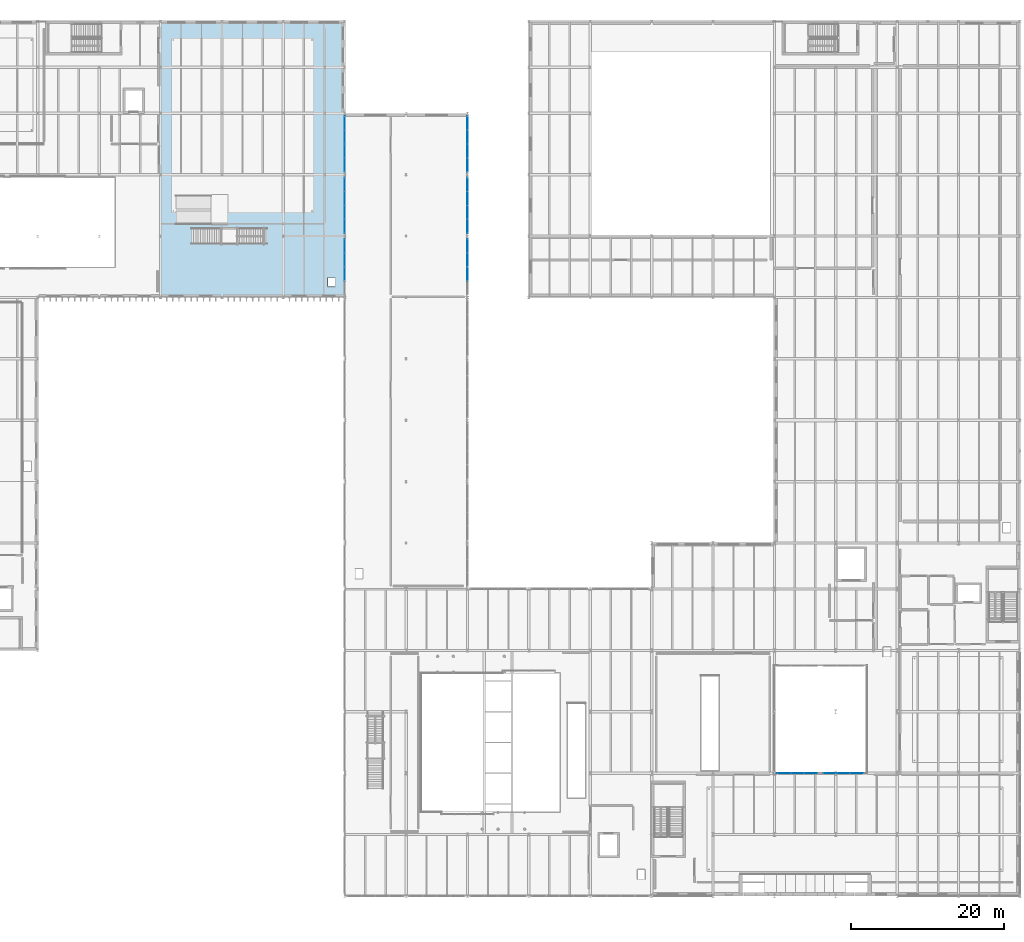
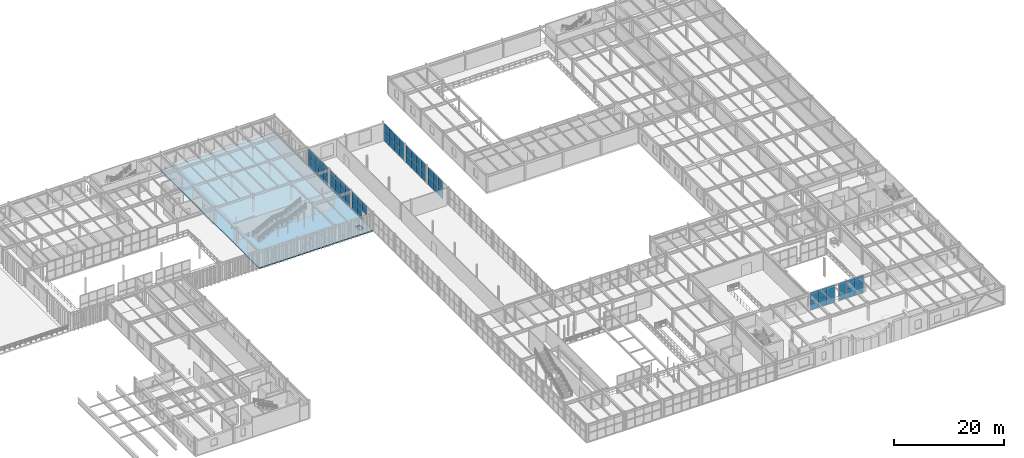
# One storey, part 72 of 122: 55 plates, 1 slab, 8 elements without a shape of their own.
"""IFC4 building model written with IfcOpenShell, lengths in metres."""

from ifc_helpers import new_model, si_unit, direction, frame, origin, origin_2d, place, context, subcontext, project, spatial, polyline, rectangle, outline, extrude, material, layer, layer_set, type_object, element, aggregate, save


model = new_model("IFC4")

# Units and contexts
model_context = context("Model", 3, precision=1e-05, world=origin(), true_north=direction((0.0, 1.0)))
body_context = subcontext(model_context, "Body", "Model", "MODEL_VIEW")
ifc_project = project(units=[si_unit("LENGTHUNIT", "METRE"), si_unit("AREAUNIT", "SQUARE_METRE"), si_unit("VOLUMEUNIT", "CUBIC_METRE"), si_unit("PLANEANGLEUNIT", "RADIAN"), si_unit("MASSUNIT", "GRAM", prefix="KILO")], contexts=[model_context])

# Site, building, storey
site_placement = place(None, origin())
site = spatial("IfcSite", under=ifc_project, at=site_placement, CompositionType="ELEMENT")
building_placement = place(site_placement, origin())
building = spatial("IfcBuilding", under=site, at=building_placement, Name="Sundkrona Museum", CompositionType="ELEMENT")
storey_placement = place(building_placement, frame((0.0, 0.0, 5.39990234375)))
storey = spatial("IfcBuildingStorey", under=building, at=storey_placement, Name="L01", CompositionType="ELEMENT", Elevation=5.39990234375)

# Curtain wall, plates
ifc_material_1 = material(Name="Unitised Aluminium-Steel and Ceramic-Clad Curtain Walling", Category="steel")
curtain_wall_type_1 = type_object("IfcCurtainWallType", Name="CW-SC-52x38", PredefinedType="NOTDEFINED", material=ifc_material_1)
curtain_wall_1_placement = place(storey_placement, origin())
curtain_wall_1 = element("IfcCurtainWall", 1, at=curtain_wall_1_placement, inside=storey, type_object=curtain_wall_type_1, Name="L01 Curtain Wall CW-L01-001", PredefinedType="NOTDEFINED")
ifc_material_2 = material(Name="Triple Low-E Vision Glazing 32 mm", Category="glass")
ifc_layer_1 = layer(ifc_material_2, 0.031982421875)
ifc_layer_set_1 = layer_set([ifc_layer_1], Name="Triple Low-E Vision Glazing 32 mm")
plate_type = type_object("IfcPlateType", Name="PN-GL-01", PredefinedType="CURTAIN_PANEL", material=ifc_layer_set_1)
plate_1_placement = place(storey_placement, frame((137.2666015625, 16.0, -0.00390625), z_axis=(0.0, 0.0, 1.0), x_axis=(1.0, 0.0, 0.0)))
plate_1 = element("IfcPlate", 2, at=plate_1_placement, type_object=plate_type, Name="CW-L01-001 Panel 01", PredefinedType="CURTAIN_PANEL", context=body_context, shape_type="SweptSolid", body=[
    extrude(rectangle(XDim=1.7333984375, YDim=0.031982421875, at=origin_2d()), origin(), (0.0, 0.0, 1.0), 1.964111328125),
])
plate_2_placement = place(storey_placement, frame((137.2666015625, 16.0, 1.9599609375), z_axis=(0.0, 0.0, 1.0), x_axis=(1.0, 0.0, 0.0)))
plate_2 = element("IfcPlate", 3, at=plate_2_placement, type_object=plate_type, Name="CW-L01-001 Panel 02", PredefinedType="CURTAIN_PANEL", context=body_context, shape_type="SweptSolid", body=[
    extrude(rectangle(XDim=1.7333984375, YDim=0.031982421875, at=origin_2d()), origin(), (0.0, 0.0, 1.0), 1.964111328125),
])
plate_3_placement = place(storey_placement, frame((139.0, 16.0, -0.00390625), z_axis=(0.0, 0.0, 1.0), x_axis=(1.0, 0.0, 0.0)))
plate_3 = element("IfcPlate", 4, at=plate_3_placement, type_object=plate_type, Name="CW-L01-001 Panel 03", PredefinedType="CURTAIN_PANEL", context=body_context, shape_type="SweptSolid", body=[
    extrude(rectangle(XDim=1.7333984375, YDim=0.031982421875, at=origin_2d()), origin(), (0.0, 0.0, 1.0), 1.964111328125),
])
plate_4_placement = place(storey_placement, frame((139.0, 16.0, 1.9599609375), z_axis=(0.0, 0.0, 1.0), x_axis=(1.0, 0.0, 0.0)))
plate_4 = element("IfcPlate", 5, at=plate_4_placement, type_object=plate_type, Name="CW-L01-001 Panel 04", PredefinedType="CURTAIN_PANEL", context=body_context, shape_type="SweptSolid", body=[
    extrude(rectangle(XDim=1.7333984375, YDim=0.031982421875, at=origin_2d()), origin(), (0.0, 0.0, 1.0), 1.964111328125),
])
plate_5_placement = place(storey_placement, frame((140.7333984375, 16.0, -0.00390625), z_axis=(0.0, 0.0, 1.0), x_axis=(1.0, 0.0, 0.0)))
plate_5 = element("IfcPlate", 6, at=plate_5_placement, type_object=plate_type, Name="CW-L01-001 Panel 05", PredefinedType="CURTAIN_PANEL", context=body_context, shape_type="SweptSolid", body=[
    extrude(rectangle(XDim=1.7333984375, YDim=0.031982421875, at=origin_2d()), origin(), (0.0, 0.0, 1.0), 1.964111328125),
])
plate_6_placement = place(storey_placement, frame((140.7333984375, 16.0, 1.9599609375), z_axis=(0.0, 0.0, 1.0), x_axis=(1.0, 0.0, 0.0)))
plate_6 = element("IfcPlate", 7, at=plate_6_placement, type_object=plate_type, Name="CW-L01-001 Panel 06", PredefinedType="CURTAIN_PANEL", context=body_context, shape_type="SweptSolid", body=[
    extrude(rectangle(XDim=1.7333984375, YDim=0.031982421875, at=origin_2d()), origin(), (0.0, 0.0, 1.0), 1.964111328125),
])
aggregate(curtain_wall_1, [plate_1, plate_2, plate_3, plate_4, plate_5, plate_6])

curtain_wall_2_placement = place(storey_placement, origin())
curtain_wall_2 = element("IfcCurtainWall", 8, at=curtain_wall_2_placement, inside=storey, type_object=curtain_wall_type_1, Name="L01 Curtain Wall CW-L01-003", PredefinedType="NOTDEFINED")
plate_7_placement = place(storey_placement, frame((143.2666015625, 16.0, -0.00390625), z_axis=(0.0, 0.0, 1.0), x_axis=(1.0, 0.0, 0.0)))
plate_7 = element("IfcPlate", 9, at=plate_7_placement, type_object=plate_type, Name="CW-L01-003 Panel 01", PredefinedType="CURTAIN_PANEL", context=body_context, shape_type="SweptSolid", body=[
    extrude(rectangle(XDim=1.7333984375, YDim=0.031982421875, at=origin_2d()), origin(), (0.0, 0.0, 1.0), 1.964111328125),
])
plate_8_placement = place(storey_placement, frame((143.2666015625, 16.0, 1.9599609375), z_axis=(0.0, 0.0, 1.0), x_axis=(1.0, 0.0, 0.0)))
plate_8 = element("IfcPlate", 10, at=plate_8_placement, type_object=plate_type, Name="CW-L01-003 Panel 02", PredefinedType="CURTAIN_PANEL", context=body_context, shape_type="SweptSolid", body=[
    extrude(rectangle(XDim=1.7333984375, YDim=0.031982421875, at=origin_2d()), origin(), (0.0, 0.0, 1.0), 1.964111328125),
])
plate_9_placement = place(storey_placement, frame((145.0, 16.0, -0.00390625), z_axis=(0.0, 0.0, 1.0), x_axis=(1.0, 0.0, 0.0)))
plate_9 = element("IfcPlate", 11, at=plate_9_placement, type_object=plate_type, Name="CW-L01-003 Panel 03", PredefinedType="CURTAIN_PANEL", context=body_context, shape_type="SweptSolid", body=[
    extrude(rectangle(XDim=1.7333984375, YDim=0.031982421875, at=origin_2d()), origin(), (0.0, 0.0, 1.0), 1.964111328125),
])
plate_10_placement = place(storey_placement, frame((145.0, 16.0, 1.9599609375), z_axis=(0.0, 0.0, 1.0), x_axis=(1.0, 0.0, 0.0)))
plate_10 = element("IfcPlate", 12, at=plate_10_placement, type_object=plate_type, Name="CW-L01-003 Panel 04", PredefinedType="CURTAIN_PANEL", context=body_context, shape_type="SweptSolid", body=[
    extrude(rectangle(XDim=1.7333984375, YDim=0.031982421875, at=origin_2d()), origin(), (0.0, 0.0, 1.0), 1.964111328125),
])
plate_11_placement = place(storey_placement, frame((146.7333984375, 16.0, -0.00390625), z_axis=(0.0, 0.0, 1.0), x_axis=(1.0, 0.0, 0.0)))
plate_11 = element("IfcPlate", 13, at=plate_11_placement, type_object=plate_type, Name="CW-L01-003 Panel 05", PredefinedType="CURTAIN_PANEL", context=body_context, shape_type="SweptSolid", body=[
    extrude(rectangle(XDim=1.7333984375, YDim=0.031982421875, at=origin_2d()), origin(), (0.0, 0.0, 1.0), 1.964111328125),
])
plate_12_placement = place(storey_placement, frame((146.7333984375, 16.0, 1.9599609375), z_axis=(0.0, 0.0, 1.0), x_axis=(1.0, 0.0, 0.0)))
plate_12 = element("IfcPlate", 14, at=plate_12_placement, type_object=plate_type, Name="CW-L01-003 Panel 06", PredefinedType="CURTAIN_PANEL", context=body_context, shape_type="SweptSolid", body=[
    extrude(rectangle(XDim=1.7333984375, YDim=0.031982421875, at=origin_2d()), origin(), (0.0, 0.0, 1.0), 1.964111328125),
])
aggregate(curtain_wall_2, [plate_7, plate_8, plate_9, plate_10, plate_11, plate_12])

curtain_wall_type_2 = type_object("IfcCurtainWallType", Name="CW-PS-54x38", PredefinedType="NOTDEFINED", material=ifc_material_1)
curtain_wall_3_placement = place(storey_placement, origin())
curtain_wall_3 = element("IfcCurtainWall", 15, at=curtain_wall_3_placement, inside=storey, type_object=curtain_wall_type_2, Name="L01 Curtain Wall CW-L01-118", PredefinedType="NOTDEFINED")
plate_13_placement = place(storey_placement, frame((80.0, 81.10009765625, 1.980224609375), z_axis=(0.0, 0.0, 1.0), x_axis=(0.0, 1.0, 0.0)))
plate_13 = element("IfcPlate", 16, at=plate_13_placement, type_object=plate_type, Name="CW-L01-118 Panel 04", PredefinedType="CURTAIN_PANEL", context=body_context, shape_type="SweptSolid", body=[
    extrude(rectangle(XDim=1.800048828125, YDim=0.031982421875, at=origin_2d()), origin(), (0.0, 0.0, 1.0), 1.98388671875),
])
plate_14_placement = place(storey_placement, frame((80.0, 82.89990234375, -0.00390625), z_axis=(0.0, 0.0, 1.0), x_axis=(0.0, 1.0, 0.0)))
plate_14 = element("IfcPlate", 17, at=plate_14_placement, type_object=plate_type, Name="CW-L01-118 Panel 05", PredefinedType="CURTAIN_PANEL", context=body_context, shape_type="SweptSolid", body=[
    extrude(rectangle(XDim=1.800048828125, YDim=0.031982421875, at=origin_2d()), origin(), (0.0, 0.0, 1.0), 1.98388671875),
])
plate_15_placement = place(storey_placement, frame((80.0, 82.89990234375, 1.980224609375), z_axis=(0.0, 0.0, 1.0), x_axis=(0.0, 1.0, 0.0)))
plate_15 = element("IfcPlate", 18, at=plate_15_placement, type_object=plate_type, Name="CW-L01-118 Panel 06", PredefinedType="CURTAIN_PANEL", context=body_context, shape_type="SweptSolid", body=[
    extrude(rectangle(XDim=1.800048828125, YDim=0.031982421875, at=origin_2d()), origin(), (0.0, 0.0, 1.0), 1.98388671875),
])
plate_16_placement = place(storey_placement, frame((80.0, 84.699951171875, -0.00390625), z_axis=(0.0, 0.0, 1.0), x_axis=(0.0, 1.0, 0.0)))
plate_16 = element("IfcPlate", 19, at=plate_16_placement, type_object=plate_type, Name="CW-L01-118 Panel 07", PredefinedType="CURTAIN_PANEL", context=body_context, shape_type="SweptSolid", body=[
    extrude(rectangle(XDim=1.800048828125, YDim=0.031982421875, at=origin_2d()), origin(), (0.0, 0.0, 1.0), 1.98388671875),
])
plate_17_placement = place(storey_placement, frame((80.0, 84.699951171875, 1.980224609375), z_axis=(0.0, 0.0, 1.0), x_axis=(0.0, 1.0, 0.0)))
plate_17 = element("IfcPlate", 20, at=plate_17_placement, type_object=plate_type, Name="CW-L01-118 Panel 08", PredefinedType="CURTAIN_PANEL", context=body_context, shape_type="SweptSolid", body=[
    extrude(rectangle(XDim=1.800048828125, YDim=0.031982421875, at=origin_2d()), origin(), (0.0, 0.0, 1.0), 1.98388671875),
])
aggregate(curtain_wall_3, [plate_13, plate_14, plate_15, plate_16, plate_17])

curtain_wall_4_placement = place(storey_placement, origin())
curtain_wall_4 = element("IfcCurtainWall", 21, at=curtain_wall_4_placement, inside=storey, type_object=curtain_wall_type_2, Name="L01 Curtain Wall CW-L01-119", PredefinedType="NOTDEFINED")
plate_18_placement = place(storey_placement, frame((96.0, 81.10009765625, -0.00390625), z_axis=(0.0, 0.0, 1.0), x_axis=(0.0, 1.0, 0.0)))
plate_18 = element("IfcPlate", 22, at=plate_18_placement, type_object=plate_type, Name="CW-L01-119 Panel 03", PredefinedType="CURTAIN_PANEL", context=body_context, shape_type="SweptSolid", body=[
    extrude(rectangle(XDim=1.800048828125, YDim=0.031982421875, at=origin_2d()), origin(), (0.0, 0.0, 1.0), 1.964111328125),
])
plate_19_placement = place(storey_placement, frame((96.0, 81.10009765625, 1.9599609375), z_axis=(0.0, 0.0, 1.0), x_axis=(0.0, 1.0, 0.0)))
plate_19 = element("IfcPlate", 23, at=plate_19_placement, type_object=plate_type, Name="CW-L01-119 Panel 04", PredefinedType="CURTAIN_PANEL", context=body_context, shape_type="SweptSolid", body=[
    extrude(rectangle(XDim=1.800048828125, YDim=0.031982421875, at=origin_2d()), origin(), (0.0, 0.0, 1.0), 1.964111328125),
])
plate_20_placement = place(storey_placement, frame((96.0, 82.89990234375, -0.00390625), z_axis=(0.0, 0.0, 1.0), x_axis=(0.0, 1.0, 0.0)))
plate_20 = element("IfcPlate", 24, at=plate_20_placement, type_object=plate_type, Name="CW-L01-119 Panel 05", PredefinedType="CURTAIN_PANEL", context=body_context, shape_type="SweptSolid", body=[
    extrude(rectangle(XDim=1.800048828125, YDim=0.031982421875, at=origin_2d()), origin(), (0.0, 0.0, 1.0), 1.964111328125),
])
plate_21_placement = place(storey_placement, frame((96.0, 82.89990234375, 1.9599609375), z_axis=(0.0, 0.0, 1.0), x_axis=(0.0, 1.0, 0.0)))
plate_21 = element("IfcPlate", 25, at=plate_21_placement, type_object=plate_type, Name="CW-L01-119 Panel 06", PredefinedType="CURTAIN_PANEL", context=body_context, shape_type="SweptSolid", body=[
    extrude(rectangle(XDim=1.800048828125, YDim=0.031982421875, at=origin_2d()), origin(), (0.0, 0.0, 1.0), 1.964111328125),
])
plate_22_placement = place(storey_placement, frame((96.0, 84.699951171875, -0.00390625), z_axis=(0.0, 0.0, 1.0), x_axis=(0.0, 1.0, 0.0)))
plate_22 = element("IfcPlate", 26, at=plate_22_placement, type_object=plate_type, Name="CW-L01-119 Panel 07", PredefinedType="CURTAIN_PANEL", context=body_context, shape_type="SweptSolid", body=[
    extrude(rectangle(XDim=1.800048828125, YDim=0.031982421875, at=origin_2d()), origin(), (0.0, 0.0, 1.0), 1.964111328125),
])
plate_23_placement = place(storey_placement, frame((96.0, 84.699951171875, 1.9599609375), z_axis=(0.0, 0.0, 1.0), x_axis=(0.0, 1.0, 0.0)))
plate_23 = element("IfcPlate", 27, at=plate_23_placement, type_object=plate_type, Name="CW-L01-119 Panel 08", PredefinedType="CURTAIN_PANEL", context=body_context, shape_type="SweptSolid", body=[
    extrude(rectangle(XDim=1.800048828125, YDim=0.031982421875, at=origin_2d()), origin(), (0.0, 0.0, 1.0), 1.964111328125),
])
aggregate(curtain_wall_4, [plate_18, plate_19, plate_20, plate_21, plate_22, plate_23])

curtain_wall_5_placement = place(storey_placement, origin())
curtain_wall_5 = element("IfcCurtainWall", 28, at=curtain_wall_5_placement, inside=storey, type_object=curtain_wall_type_2, Name="L01 Curtain Wall CW-L01-120", PredefinedType="NOTDEFINED")
plate_24_placement = place(storey_placement, frame((80.0, 87.300048828125, -0.00390625), z_axis=(0.0, 0.0, 1.0), x_axis=(0.0, 1.0, 0.0)))
plate_24 = element("IfcPlate", 29, at=plate_24_placement, type_object=plate_type, Name="CW-L01-120 Panel 01", PredefinedType="CURTAIN_PANEL", context=body_context, shape_type="SweptSolid", body=[
    extrude(rectangle(XDim=1.800048828125, YDim=0.031982421875, at=origin_2d()), origin(), (0.0, 0.0, 1.0), 1.98388671875),
])
plate_25_placement = place(storey_placement, frame((80.0, 87.300048828125, 1.980224609375), z_axis=(0.0, 0.0, 1.0), x_axis=(0.0, 1.0, 0.0)))
plate_25 = element("IfcPlate", 30, at=plate_25_placement, type_object=plate_type, Name="CW-L01-120 Panel 02", PredefinedType="CURTAIN_PANEL", context=body_context, shape_type="SweptSolid", body=[
    extrude(rectangle(XDim=1.800048828125, YDim=0.031982421875, at=origin_2d()), origin(), (0.0, 0.0, 1.0), 1.98388671875),
])
plate_26_placement = place(storey_placement, frame((80.0, 89.10009765625, -0.00390625), z_axis=(0.0, 0.0, 1.0), x_axis=(0.0, 1.0, 0.0)))
plate_26 = element("IfcPlate", 31, at=plate_26_placement, type_object=plate_type, Name="CW-L01-120 Panel 03", PredefinedType="CURTAIN_PANEL", context=body_context, shape_type="SweptSolid", body=[
    extrude(rectangle(XDim=1.800048828125, YDim=0.031982421875, at=origin_2d()), origin(), (0.0, 0.0, 1.0), 1.98388671875),
])
plate_27_placement = place(storey_placement, frame((80.0, 89.10009765625, 1.980224609375), z_axis=(0.0, 0.0, 1.0), x_axis=(0.0, 1.0, 0.0)))
plate_27 = element("IfcPlate", 32, at=plate_27_placement, type_object=plate_type, Name="CW-L01-120 Panel 04", PredefinedType="CURTAIN_PANEL", context=body_context, shape_type="SweptSolid", body=[
    extrude(rectangle(XDim=1.800048828125, YDim=0.031982421875, at=origin_2d()), origin(), (0.0, 0.0, 1.0), 1.98388671875),
])
plate_28_placement = place(storey_placement, frame((80.0, 90.89990234375, -0.00390625), z_axis=(0.0, 0.0, 1.0), x_axis=(0.0, 1.0, 0.0)))
plate_28 = element("IfcPlate", 33, at=plate_28_placement, type_object=plate_type, Name="CW-L01-120 Panel 05", PredefinedType="CURTAIN_PANEL", context=body_context, shape_type="SweptSolid", body=[
    extrude(rectangle(XDim=1.800048828125, YDim=0.031982421875, at=origin_2d()), origin(), (0.0, 0.0, 1.0), 1.98388671875),
])
plate_29_placement = place(storey_placement, frame((80.0, 90.89990234375, 1.980224609375), z_axis=(0.0, 0.0, 1.0), x_axis=(0.0, 1.0, 0.0)))
plate_29 = element("IfcPlate", 34, at=plate_29_placement, type_object=plate_type, Name="CW-L01-120 Panel 06", PredefinedType="CURTAIN_PANEL", context=body_context, shape_type="SweptSolid", body=[
    extrude(rectangle(XDim=1.800048828125, YDim=0.031982421875, at=origin_2d()), origin(), (0.0, 0.0, 1.0), 1.98388671875),
])
plate_30_placement = place(storey_placement, frame((80.0, 92.699951171875, -0.00390625), z_axis=(0.0, 0.0, 1.0), x_axis=(0.0, 1.0, 0.0)))
plate_30 = element("IfcPlate", 35, at=plate_30_placement, type_object=plate_type, Name="CW-L01-120 Panel 07", PredefinedType="CURTAIN_PANEL", context=body_context, shape_type="SweptSolid", body=[
    extrude(rectangle(XDim=1.800048828125, YDim=0.031982421875, at=origin_2d()), origin(), (0.0, 0.0, 1.0), 1.98388671875),
])
plate_31_placement = place(storey_placement, frame((80.0, 92.699951171875, 1.980224609375), z_axis=(0.0, 0.0, 1.0), x_axis=(0.0, 1.0, 0.0)))
plate_31 = element("IfcPlate", 36, at=plate_31_placement, type_object=plate_type, Name="CW-L01-120 Panel 08", PredefinedType="CURTAIN_PANEL", context=body_context, shape_type="SweptSolid", body=[
    extrude(rectangle(XDim=1.800048828125, YDim=0.031982421875, at=origin_2d()), origin(), (0.0, 0.0, 1.0), 1.98388671875),
])
aggregate(curtain_wall_5, [plate_24, plate_25, plate_26, plate_27, plate_28, plate_29, plate_30, plate_31])

curtain_wall_6_placement = place(storey_placement, origin())
curtain_wall_6 = element("IfcCurtainWall", 37, at=curtain_wall_6_placement, inside=storey, type_object=curtain_wall_type_2, Name="L01 Curtain Wall CW-L01-121", PredefinedType="NOTDEFINED")
plate_32_placement = place(storey_placement, frame((96.0, 87.300048828125, -0.00390625), z_axis=(0.0, 0.0, 1.0), x_axis=(0.0, 1.0, 0.0)))
plate_32 = element("IfcPlate", 38, at=plate_32_placement, type_object=plate_type, Name="CW-L01-121 Panel 01", PredefinedType="CURTAIN_PANEL", context=body_context, shape_type="SweptSolid", body=[
    extrude(rectangle(XDim=1.800048828125, YDim=0.031982421875, at=origin_2d()), origin(), (0.0, 0.0, 1.0), 1.964111328125),
])
plate_33_placement = place(storey_placement, frame((96.0, 87.300048828125, 1.9599609375), z_axis=(0.0, 0.0, 1.0), x_axis=(0.0, 1.0, 0.0)))
plate_33 = element("IfcPlate", 39, at=plate_33_placement, type_object=plate_type, Name="CW-L01-121 Panel 02", PredefinedType="CURTAIN_PANEL", context=body_context, shape_type="SweptSolid", body=[
    extrude(rectangle(XDim=1.800048828125, YDim=0.031982421875, at=origin_2d()), origin(), (0.0, 0.0, 1.0), 1.964111328125),
])
plate_34_placement = place(storey_placement, frame((96.0, 89.10009765625, -0.00390625), z_axis=(0.0, 0.0, 1.0), x_axis=(0.0, 1.0, 0.0)))
plate_34 = element("IfcPlate", 40, at=plate_34_placement, type_object=plate_type, Name="CW-L01-121 Panel 03", PredefinedType="CURTAIN_PANEL", context=body_context, shape_type="SweptSolid", body=[
    extrude(rectangle(XDim=1.800048828125, YDim=0.031982421875, at=origin_2d()), origin(), (0.0, 0.0, 1.0), 1.964111328125),
])
plate_35_placement = place(storey_placement, frame((96.0, 89.10009765625, 1.9599609375), z_axis=(0.0, 0.0, 1.0), x_axis=(0.0, 1.0, 0.0)))
plate_35 = element("IfcPlate", 41, at=plate_35_placement, type_object=plate_type, Name="CW-L01-121 Panel 04", PredefinedType="CURTAIN_PANEL", context=body_context, shape_type="SweptSolid", body=[
    extrude(rectangle(XDim=1.800048828125, YDim=0.031982421875, at=origin_2d()), origin(), (0.0, 0.0, 1.0), 1.964111328125),
])
plate_36_placement = place(storey_placement, frame((96.0, 90.89990234375, -0.00390625), z_axis=(0.0, 0.0, 1.0), x_axis=(0.0, 1.0, 0.0)))
plate_36 = element("IfcPlate", 42, at=plate_36_placement, type_object=plate_type, Name="CW-L01-121 Panel 05", PredefinedType="CURTAIN_PANEL", context=body_context, shape_type="SweptSolid", body=[
    extrude(rectangle(XDim=1.800048828125, YDim=0.031982421875, at=origin_2d()), origin(), (0.0, 0.0, 1.0), 1.964111328125),
])
plate_37_placement = place(storey_placement, frame((96.0, 90.89990234375, 1.9599609375), z_axis=(0.0, 0.0, 1.0), x_axis=(0.0, 1.0, 0.0)))
plate_37 = element("IfcPlate", 43, at=plate_37_placement, type_object=plate_type, Name="CW-L01-121 Panel 06", PredefinedType="CURTAIN_PANEL", context=body_context, shape_type="SweptSolid", body=[
    extrude(rectangle(XDim=1.800048828125, YDim=0.031982421875, at=origin_2d()), origin(), (0.0, 0.0, 1.0), 1.964111328125),
])
plate_38_placement = place(storey_placement, frame((96.0, 92.699951171875, -0.00390625), z_axis=(0.0, 0.0, 1.0), x_axis=(0.0, 1.0, 0.0)))
plate_38 = element("IfcPlate", 44, at=plate_38_placement, type_object=plate_type, Name="CW-L01-121 Panel 07", PredefinedType="CURTAIN_PANEL", context=body_context, shape_type="SweptSolid", body=[
    extrude(rectangle(XDim=1.800048828125, YDim=0.031982421875, at=origin_2d()), origin(), (0.0, 0.0, 1.0), 1.964111328125),
])
plate_39_placement = place(storey_placement, frame((96.0, 92.699951171875, 1.9599609375), z_axis=(0.0, 0.0, 1.0), x_axis=(0.0, 1.0, 0.0)))
plate_39 = element("IfcPlate", 45, at=plate_39_placement, type_object=plate_type, Name="CW-L01-121 Panel 08", PredefinedType="CURTAIN_PANEL", context=body_context, shape_type="SweptSolid", body=[
    extrude(rectangle(XDim=1.800048828125, YDim=0.031982421875, at=origin_2d()), origin(), (0.0, 0.0, 1.0), 1.964111328125),
])
aggregate(curtain_wall_6, [plate_32, plate_33, plate_34, plate_35, plate_36, plate_37, plate_38, plate_39])

curtain_wall_7_placement = place(storey_placement, origin())
curtain_wall_7 = element("IfcCurtainWall", 46, at=curtain_wall_7_placement, inside=storey, type_object=curtain_wall_type_2, Name="L01 Curtain Wall CW-L01-122", PredefinedType="NOTDEFINED")
plate_40_placement = place(storey_placement, frame((80.0, 95.300048828125, -0.00390625), z_axis=(0.0, 0.0, 1.0), x_axis=(0.0, 1.0, 0.0)))
plate_40 = element("IfcPlate", 47, at=plate_40_placement, type_object=plate_type, Name="CW-L01-122 Panel 01", PredefinedType="CURTAIN_PANEL", context=body_context, shape_type="SweptSolid", body=[
    extrude(rectangle(XDim=1.800048828125, YDim=0.031982421875, at=origin_2d()), origin(), (0.0, 0.0, 1.0), 1.98388671875),
])
plate_41_placement = place(storey_placement, frame((80.0, 95.300048828125, 1.980224609375), z_axis=(0.0, 0.0, 1.0), x_axis=(0.0, 1.0, 0.0)))
plate_41 = element("IfcPlate", 48, at=plate_41_placement, type_object=plate_type, Name="CW-L01-122 Panel 02", PredefinedType="CURTAIN_PANEL", context=body_context, shape_type="SweptSolid", body=[
    extrude(rectangle(XDim=1.800048828125, YDim=0.031982421875, at=origin_2d()), origin(), (0.0, 0.0, 1.0), 1.98388671875),
])
plate_42_placement = place(storey_placement, frame((80.0, 97.10009765625, -0.00390625), z_axis=(0.0, 0.0, 1.0), x_axis=(0.0, 1.0, 0.0)))
plate_42 = element("IfcPlate", 49, at=plate_42_placement, type_object=plate_type, Name="CW-L01-122 Panel 03", PredefinedType="CURTAIN_PANEL", context=body_context, shape_type="SweptSolid", body=[
    extrude(rectangle(XDim=1.800048828125, YDim=0.031982421875, at=origin_2d()), origin(), (0.0, 0.0, 1.0), 1.98388671875),
])
plate_43_placement = place(storey_placement, frame((80.0, 97.10009765625, 1.980224609375), z_axis=(0.0, 0.0, 1.0), x_axis=(0.0, 1.0, 0.0)))
plate_43 = element("IfcPlate", 50, at=plate_43_placement, type_object=plate_type, Name="CW-L01-122 Panel 04", PredefinedType="CURTAIN_PANEL", context=body_context, shape_type="SweptSolid", body=[
    extrude(rectangle(XDim=1.800048828125, YDim=0.031982421875, at=origin_2d()), origin(), (0.0, 0.0, 1.0), 1.98388671875),
])
plate_44_placement = place(storey_placement, frame((80.0, 98.89990234375, -0.00390625), z_axis=(0.0, 0.0, 1.0), x_axis=(0.0, 1.0, 0.0)))
plate_44 = element("IfcPlate", 51, at=plate_44_placement, type_object=plate_type, Name="CW-L01-122 Panel 05", PredefinedType="CURTAIN_PANEL", context=body_context, shape_type="SweptSolid", body=[
    extrude(rectangle(XDim=1.800048828125, YDim=0.031982421875, at=origin_2d()), origin(), (0.0, 0.0, 1.0), 1.98388671875),
])
plate_45_placement = place(storey_placement, frame((80.0, 98.89990234375, 1.980224609375), z_axis=(0.0, 0.0, 1.0), x_axis=(0.0, 1.0, 0.0)))
plate_45 = element("IfcPlate", 52, at=plate_45_placement, type_object=plate_type, Name="CW-L01-122 Panel 06", PredefinedType="CURTAIN_PANEL", context=body_context, shape_type="SweptSolid", body=[
    extrude(rectangle(XDim=1.800048828125, YDim=0.031982421875, at=origin_2d()), origin(), (0.0, 0.0, 1.0), 1.98388671875),
])
plate_46_placement = place(storey_placement, frame((80.0, 100.699951171875, -0.00390625), z_axis=(0.0, 0.0, 1.0), x_axis=(0.0, 1.0, 0.0)))
plate_46 = element("IfcPlate", 53, at=plate_46_placement, type_object=plate_type, Name="CW-L01-122 Panel 07", PredefinedType="CURTAIN_PANEL", context=body_context, shape_type="SweptSolid", body=[
    extrude(rectangle(XDim=1.800048828125, YDim=0.031982421875, at=origin_2d()), origin(), (0.0, 0.0, 1.0), 1.98388671875),
])
plate_47_placement = place(storey_placement, frame((80.0, 100.699951171875, 1.980224609375), z_axis=(0.0, 0.0, 1.0), x_axis=(0.0, 1.0, 0.0)))
plate_47 = element("IfcPlate", 54, at=plate_47_placement, type_object=plate_type, Name="CW-L01-122 Panel 08", PredefinedType="CURTAIN_PANEL", context=body_context, shape_type="SweptSolid", body=[
    extrude(rectangle(XDim=1.800048828125, YDim=0.031982421875, at=origin_2d()), origin(), (0.0, 0.0, 1.0), 1.98388671875),
])
aggregate(curtain_wall_7, [plate_40, plate_41, plate_42, plate_43, plate_44, plate_45, plate_46, plate_47])

curtain_wall_8_placement = place(storey_placement, origin())
curtain_wall_8 = element("IfcCurtainWall", 55, at=curtain_wall_8_placement, inside=storey, type_object=curtain_wall_type_2, Name="L01 Curtain Wall CW-L01-123", PredefinedType="NOTDEFINED")
plate_48_placement = place(storey_placement, frame((96.0, 95.300048828125, -0.00390625), z_axis=(0.0, 0.0, 1.0), x_axis=(0.0, 1.0, 0.0)))
plate_48 = element("IfcPlate", 56, at=plate_48_placement, type_object=plate_type, Name="CW-L01-123 Panel 01", PredefinedType="CURTAIN_PANEL", context=body_context, shape_type="SweptSolid", body=[
    extrude(rectangle(XDim=1.800048828125, YDim=0.031982421875, at=origin_2d()), origin(), (0.0, 0.0, 1.0), 1.964111328125),
])
plate_49_placement = place(storey_placement, frame((96.0, 95.300048828125, 1.9599609375), z_axis=(0.0, 0.0, 1.0), x_axis=(0.0, 1.0, 0.0)))
plate_49 = element("IfcPlate", 57, at=plate_49_placement, type_object=plate_type, Name="CW-L01-123 Panel 02", PredefinedType="CURTAIN_PANEL", context=body_context, shape_type="SweptSolid", body=[
    extrude(rectangle(XDim=1.800048828125, YDim=0.031982421875, at=origin_2d()), origin(), (0.0, 0.0, 1.0), 1.964111328125),
])
plate_50_placement = place(storey_placement, frame((96.0, 97.10009765625, -0.00390625), z_axis=(0.0, 0.0, 1.0), x_axis=(0.0, 1.0, 0.0)))
plate_50 = element("IfcPlate", 58, at=plate_50_placement, type_object=plate_type, Name="CW-L01-123 Panel 03", PredefinedType="CURTAIN_PANEL", context=body_context, shape_type="SweptSolid", body=[
    extrude(rectangle(XDim=1.800048828125, YDim=0.031982421875, at=origin_2d()), origin(), (0.0, 0.0, 1.0), 1.964111328125),
])
plate_51_placement = place(storey_placement, frame((96.0, 97.10009765625, 1.9599609375), z_axis=(0.0, 0.0, 1.0), x_axis=(0.0, 1.0, 0.0)))
plate_51 = element("IfcPlate", 59, at=plate_51_placement, type_object=plate_type, Name="CW-L01-123 Panel 04", PredefinedType="CURTAIN_PANEL", context=body_context, shape_type="SweptSolid", body=[
    extrude(rectangle(XDim=1.800048828125, YDim=0.031982421875, at=origin_2d()), origin(), (0.0, 0.0, 1.0), 1.964111328125),
])
plate_52_placement = place(storey_placement, frame((96.0, 98.89990234375, -0.00390625), z_axis=(0.0, 0.0, 1.0), x_axis=(0.0, 1.0, 0.0)))
plate_52 = element("IfcPlate", 60, at=plate_52_placement, type_object=plate_type, Name="CW-L01-123 Panel 05", PredefinedType="CURTAIN_PANEL", context=body_context, shape_type="SweptSolid", body=[
    extrude(rectangle(XDim=1.800048828125, YDim=0.031982421875, at=origin_2d()), origin(), (0.0, 0.0, 1.0), 1.964111328125),
])
plate_53_placement = place(storey_placement, frame((96.0, 98.89990234375, 1.9599609375), z_axis=(0.0, 0.0, 1.0), x_axis=(0.0, 1.0, 0.0)))
plate_53 = element("IfcPlate", 61, at=plate_53_placement, type_object=plate_type, Name="CW-L01-123 Panel 06", PredefinedType="CURTAIN_PANEL", context=body_context, shape_type="SweptSolid", body=[
    extrude(rectangle(XDim=1.800048828125, YDim=0.031982421875, at=origin_2d()), origin(), (0.0, 0.0, 1.0), 1.964111328125),
])
plate_54_placement = place(storey_placement, frame((96.0, 100.699951171875, -0.00390625), z_axis=(0.0, 0.0, 1.0), x_axis=(0.0, 1.0, 0.0)))
plate_54 = element("IfcPlate", 62, at=plate_54_placement, type_object=plate_type, Name="CW-L01-123 Panel 07", PredefinedType="CURTAIN_PANEL", context=body_context, shape_type="SweptSolid", body=[
    extrude(rectangle(XDim=1.800048828125, YDim=0.031982421875, at=origin_2d()), origin(), (0.0, 0.0, 1.0), 1.964111328125),
])
plate_55_placement = place(storey_placement, frame((96.0, 100.699951171875, 1.9599609375), z_axis=(0.0, 0.0, 1.0), x_axis=(0.0, 1.0, 0.0)))
plate_55 = element("IfcPlate", 63, at=plate_55_placement, type_object=plate_type, Name="CW-L01-123 Panel 08", PredefinedType="CURTAIN_PANEL", context=body_context, shape_type="SweptSolid", body=[
    extrude(rectangle(XDim=1.800048828125, YDim=0.031982421875, at=origin_2d()), origin(), (0.0, 0.0, 1.0), 1.964111328125),
])
aggregate(curtain_wall_8, [plate_48, plate_49, plate_50, plate_51, plate_52, plate_53, plate_54, plate_55])

# Slab
ifc_material_3 = material(Name="Concrete C35/45", Category="concrete")
ifc_layer_2 = layer(ifc_material_3, 0.239990234375)
ifc_layer_set_2 = layer_set([ifc_layer_2], Name="Concrete C35/45")
slab_type = type_object("IfcSlabType", Name="SL-FL-240", PredefinedType="FLOOR", material=ifc_layer_set_2)
slab_placement = place(storey_placement, frame((0.0, 0.0, -0.239990234375)))
element("IfcSlab", 64, at=slab_placement, inside=storey, type_object=slab_type, Name="L01 Standard composite gallery floor slab 240 mm (SL-L01-V3E)", PredefinedType="FLOOR", context=body_context, shape_type="SweptSolid", body=[
    extrude(outline(polyline([(56.0, 78.0), (80.0, 78.0), (80.0, 114.0), (56.0, 114.0), (56.0, 78.0)]), holes=[polyline([(78.699951171875, 79.39990234375), (77.800048828125, 79.39990234375), (77.800048828125, 80.60009765625), (78.699951171875, 80.60009765625), (78.699951171875, 79.39990234375)])]), origin(), (0.0, 0.0, 1.0), 0.239990234375),
])

save(model, "model.ifc")
